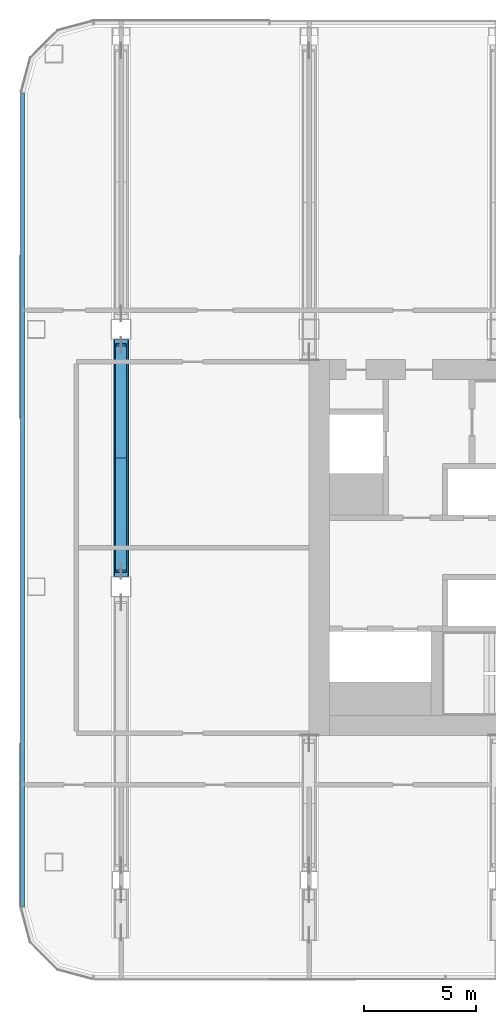
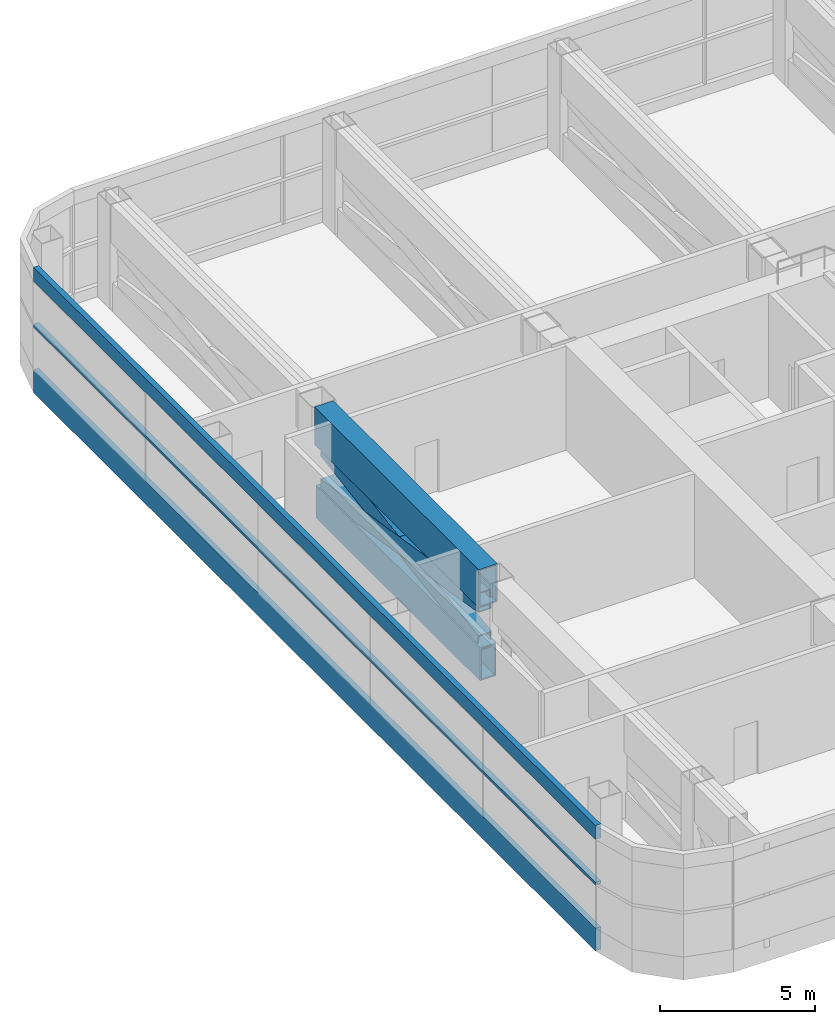
# One storey, part 3 of 31: 7 members, 1 element without a shape of its own.
"""IFC4 building model written with IfcOpenShell, lengths in metres."""

from ifc_helpers import new_model, si_unit, direction, frame, origin, origin_2d, place, context, subcontext, project, spatial, rectangle, hollow_rectangle, extrude, material, layer, layer_set, material_profile, profile_set, type_object, element, aggregate, save


model = new_model("IFC4")

# Units and contexts
model_context = context("Model", 3, precision=1e-05, world=origin(), true_north=direction((0.0, 1.0)))
body_context = subcontext(model_context, "Body", "Model", "MODEL_VIEW")
ifc_project = project(units=[si_unit("LENGTHUNIT", "METRE"), si_unit("AREAUNIT", "SQUARE_METRE"), si_unit("VOLUMEUNIT", "CUBIC_METRE"), si_unit("PLANEANGLEUNIT", "RADIAN"), si_unit("MASSUNIT", "GRAM", prefix="KILO")], contexts=[model_context])

# Site, building, storey
site_placement = place(None, origin())
site = spatial("IfcSite", under=ifc_project, at=site_placement, CompositionType="ELEMENT")
building_placement = place(site_placement, origin())
building = spatial("IfcBuilding", under=site, at=building_placement, Name="Hakoniwa Tower and Hamabe Station Hall", CompositionType="ELEMENT")
storey_placement = place(building_placement, frame((0.0, 0.0, 120.199951171875)))
storey = spatial("IfcBuildingStorey", under=building, at=storey_placement, Name="L34", CompositionType="ELEMENT", Elevation=120.199951171875)

# Curtain wall, members
ifc_material_1 = material(Name="Dark low-e laminated glass", Category="glass")
ifc_layer = layer(ifc_material_1, 0.199951171875)
ifc_layer_set = layer_set([ifc_layer], Name="CW-6 PLANT LOUVRE")
curtain_wall_type = type_object("IfcCurtainWallType", Name="CW-6 PLANT LOUVRE", PredefinedType="NOTDEFINED", material=ifc_layer_set)
curtain_wall_placement = place(storey_placement, origin())
curtain_wall = element("IfcCurtainWall", 1, at=curtain_wall_placement, inside=storey, type_object=curtain_wall_type, Name="CW-6 curtain wall", PredefinedType="NOTDEFINED")
ifc_material_2 = material(Name="Aluminium 6063-T5 black anodised", Category="aluminium")
ifc_material_profile_1 = material_profile(ifc_material_2, rectangle(XDim=0.199951171875, YDim=0.550048828125, at=origin_2d()), Name="CW HEAD BAND 550X200")
ifc_profile_set_1 = profile_set([ifc_material_profile_1], Name="Aluminium 6063-T5 black anodised")
member_type_1 = type_object("IfcMemberType", Name="CW HEAD BAND 550X200", PredefinedType="USERDEFINED", material=ifc_profile_set_1)
member_1_placement = place(storey_placement, frame((-46.39990234375, 20.28955078125, 4.125), z_axis=(0.0, -1.0, 0.0), x_axis=(1.0, 0.0, 0.0)))
member_1 = element("IfcMember", 2, at=member_1_placement, type_object=member_type_1, Name="CW-6 transom", ObjectType="TRANSOM", PredefinedType="USERDEFINED", context=body_context, shape_type="SweptSolid", body=[
    extrude(rectangle(XDim=0.199951171875, YDim=0.550048828125, at=origin_2d()), origin(), (0.0, 0.0, 1.0), 36.3291015625),
])
ifc_material_3 = material(Name="Aluminium 6063-T5 black anodised", Category="aluminium")
ifc_material_profile_2 = material_profile(ifc_material_3, rectangle(XDim=0.199951171875, YDim=0.1201171875, at=origin_2d()), Name="CW MID TRANSOM 120X200")
ifc_profile_set_2 = profile_set([ifc_material_profile_2], Name="Aluminium 6063-T5 black anodised")
member_type_2 = type_object("IfcMemberType", Name="CW MID TRANSOM 120X200", PredefinedType="USERDEFINED", material=ifc_profile_set_2)
member_2_placement = place(storey_placement, frame((-46.39990234375, 20.28955078125, 2.10009765625), z_axis=(0.0, -1.0, 0.0), x_axis=(1.0, 0.0, 0.0)))
member_2 = element("IfcMember", 3, at=member_2_placement, type_object=member_type_2, Name="CW-6 transom", ObjectType="TRANSOM", PredefinedType="USERDEFINED", context=body_context, shape_type="SweptSolid", body=[
    extrude(rectangle(XDim=0.199951171875, YDim=0.1201171875, at=origin_2d()), origin(), (0.0, 0.0, 1.0), 36.3291015625),
])
ifc_material_4 = material(Name="Aluminium 6063-T5 black anodised", Category="aluminium")
ifc_material_profile_3 = material_profile(ifc_material_4, rectangle(XDim=0.199951171875, YDim=0.89990234375, at=origin_2d()), Name="CW SLAB-EDGE BAND 900X200")
ifc_profile_set_3 = profile_set([ifc_material_profile_3], Name="Aluminium 6063-T5 black anodised")
member_type_3 = type_object("IfcMemberType", Name="CW SLAB-EDGE BAND 900X200", PredefinedType="USERDEFINED", material=ifc_profile_set_3)
member_3_placement = place(storey_placement, frame((-46.39990234375, 20.28955078125, -0.099853515625), z_axis=(0.0, -1.0, 0.0), x_axis=(1.0, 0.0, 0.0)))
member_3 = element("IfcMember", 4, at=member_3_placement, type_object=member_type_3, Name="CW-6 transom", ObjectType="TRANSOM", PredefinedType="USERDEFINED", context=body_context, shape_type="SweptSolid", body=[
    extrude(rectangle(XDim=0.199951171875, YDim=0.89990234375, at=origin_2d()), origin(), (0.0, 0.0, 1.0), 36.3291015625),
])
aggregate(curtain_wall, [member_3, member_2, member_1])

# Members
ifc_material_5 = material(Name="Steel SN490C", Category="steel")
ifc_material_profile_4 = material_profile(ifc_material_5, hollow_rectangle(XDim=0.60009765625, YDim=1.300048828125, WallThickness=0.050048828125, at=origin_2d()), Name="BX-1300x600x50")
ifc_profile_set_4 = profile_set([ifc_material_profile_4], Name="Steel SN490C")
member_type_4 = type_object("IfcMemberType", Name="TRUSS CHORD BX-1300x600x50", PredefinedType="CHORD", material=ifc_profile_set_4)
member_4_placement = place(storey_placement, frame((-42.0, -1.300048828125, 0.35009765625), z_axis=(0.0, 1.0, 0.0), x_axis=(-1.0, 0.0, 0.0)))
element("IfcMember", 5, at=member_4_placement, inside=storey, type_object=member_type_4, Name="Truss T2-03-BC02", PredefinedType="CHORD", context=body_context, shape_type="SweptSolid", body=[
    extrude(hollow_rectangle(XDim=0.60009765625, YDim=1.300048828125, WallThickness=0.050048828125, at=origin_2d()), origin(), (0.0, 0.0, 1.0), 10.60009765625),
])
ifc_material_6 = material(Name="Steel SN490C", Category="steel")
ifc_material_profile_5 = material_profile(ifc_material_6, hollow_rectangle(XDim=0.699951171875, YDim=1.5, WallThickness=0.054931640625, at=origin_2d()), Name="BX-1500x700x55")
ifc_profile_set_5 = profile_set([ifc_material_profile_5], Name="Steel SN490C")
member_type_5 = type_object("IfcMemberType", Name="TRUSS CHORD BX-1500x700x55", PredefinedType="CHORD", material=ifc_profile_set_5)
member_5_placement = place(storey_placement, frame((-42.0, -1.300048828125, 3.35009765625), z_axis=(0.0, 1.0, 0.0), x_axis=(-1.0, 0.0, 0.0)))
element("IfcMember", 6, at=member_5_placement, inside=storey, type_object=member_type_5, Name="Truss T2-03-TC02", PredefinedType="CHORD", context=body_context, shape_type="SweptSolid", body=[
    extrude(hollow_rectangle(XDim=0.699951171875, YDim=1.5, WallThickness=0.054931640625, at=origin_2d()), origin(), (0.0, 0.0, 1.0), 10.60009765625),
])
ifc_material_7 = material(Name="Steel SN490C", Category="steel")
ifc_material_profile_6 = material_profile(ifc_material_7, hollow_rectangle(XDim=0.5, YDim=0.699951171875, WallThickness=0.031982421875, at=origin_2d()), Name="BX-700x500x32")
ifc_profile_set_6 = profile_set([ifc_material_profile_6], Name="Steel SN490C")
member_type_6 = type_object("IfcMemberType", Name="TRUSS DIAGONAL BX-700x500x32", PredefinedType="BRACE", material=ifc_profile_set_6)
for number, where, z_axis, x_axis, name in (
    (7, (-42.0, -1.050048828125, 1.0), (0.0, 0.98768230609, 0.156472560651), (-1.0, 0.0, 0.0), "Truss T2-03-D02a"),
    (8, (-42.0, -1.050048828125, 2.60009765625), (0.0, 0.98768230609, -0.156472560651), (-1.0, 0.0, 0.0), "Truss T2-03-D02b"),
):
    element("IfcMember", number, at=place(storey_placement, frame(where, z_axis=z_axis, x_axis=x_axis)), inside=storey, type_object=member_type_6, Name=name, PredefinedType="BRACE", context=body_context, shape_type="SweptSolid", body=[
        extrude(hollow_rectangle(XDim=0.5, YDim=0.699951171875, WallThickness=0.031982421875, at=origin_2d()), origin(), (0.0, 0.0, 1.0), 10.22607421875),
    ])

save(model, "model.ifc")
